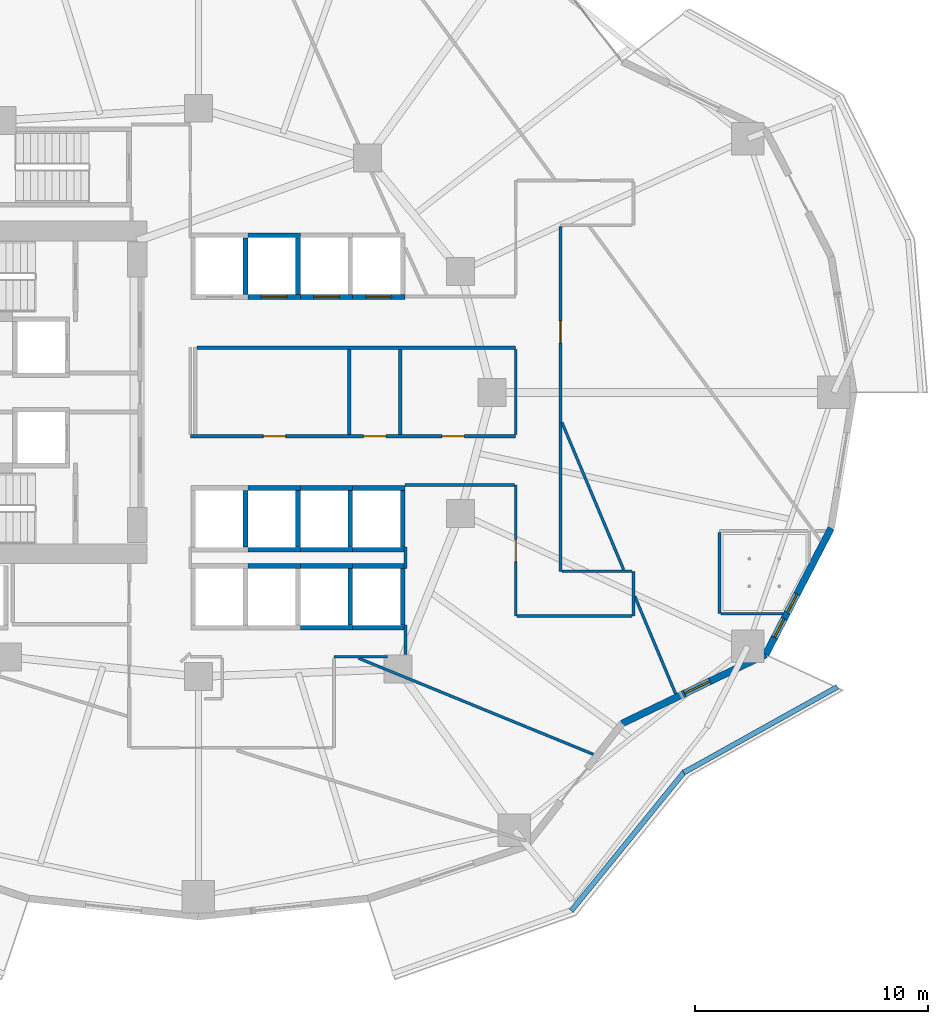
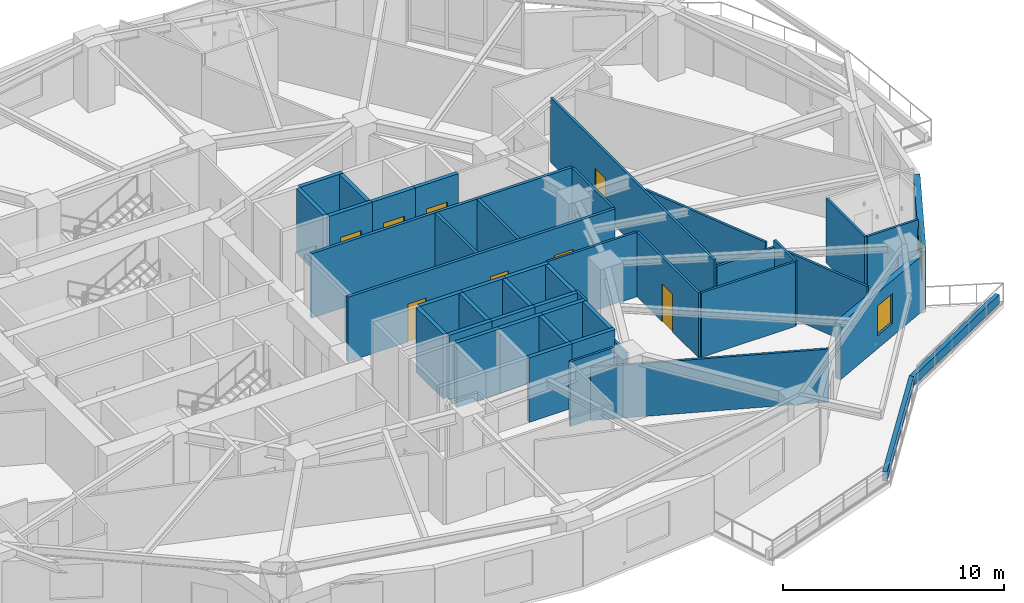
# One storey, part 7 of 18: 46 walls, 8 doors, 3 windows, 11 openings.
"""IFC4 building model written with IfcOpenShell, lengths in metres."""

from ifc_helpers import new_model, si_unit, direction, frame, frame_2d, origin, place, context, subcontext, project, spatial, rectangle, extrude, material, layer, layer_set, type_object, element, fill, save


model = new_model("IFC4")

# Units and contexts
model_context = context("Model", 3, precision=1e-05, world=origin(), true_north=direction((0.0, 1.0)))
body_context = subcontext(model_context, "Body", "Model", "MODEL_VIEW")
ifc_project = project(units=[si_unit("LENGTHUNIT", "METRE"), si_unit("AREAUNIT", "SQUARE_METRE"), si_unit("VOLUMEUNIT", "CUBIC_METRE"), si_unit("PLANEANGLEUNIT", "RADIAN"), si_unit("MASSUNIT", "GRAM", prefix="KILO")], contexts=[model_context])

# Site, building, storey
site_placement = place(None, origin())
site = spatial("IfcSite", under=ifc_project, at=site_placement, CompositionType="ELEMENT")
building_placement = place(site_placement, origin())
building = spatial("IfcBuilding", under=site, at=building_placement, Name="Kolvaren Gate Tower and Convention Centre", CompositionType="ELEMENT")
storey_placement = place(building_placement, frame((0.0, 0.0, 30.35009765625)))
storey = spatial("IfcBuildingStorey", under=building, at=storey_placement, Name="L06", CompositionType="ELEMENT", Elevation=30.35009765625)

# Wall
ifc_material_1 = material(Name="Fire-Rated Acoustic Gypsum Stud Partition", Category="gypsum")
ifc_layer_1 = layer(ifc_material_1, 0.1201171875)
ifc_layer_set_1 = layer_set([ifc_layer_1], Name="Fire-Rated Acoustic Gypsum Stud Partition")
wall_type_1 = type_object("IfcWallType", Name="ARCH-WL-PART-120", PredefinedType="PARTITIONING", material=ifc_layer_set_1)
wall_1_placement = place(storey_placement, frame((35.949951171875, 15.64990234375, 0.0), z_axis=(0.0, 0.0, 1.0), x_axis=(1.0, 0.0, 0.0)))
element("IfcWall", 1, at=wall_1_placement, inside=storey, type_object=wall_type_1, Name="Interior Partition WL-L06-INT-018", PredefinedType="PARTITIONING", context=body_context, shape_type="SweptSolid", body=[
    extrude(rectangle(XDim=2.291015625, YDim=0.1201171875, at=frame_2d((1.1455078125, 0.0))), origin(), (0.0, 0.0, 1.0), 3.56982421875),
])

# Wall, opening, door
wall_2_placement = place(storey_placement, frame((43.75, 17.39990234375, 0.0), z_axis=(0.0, 0.0, 1.0), x_axis=(0.0, 1.0, 0.0)))
wall_2 = element("IfcWall", 2, at=wall_2_placement, inside=storey, type_object=wall_type_1, Name="Interior Partition WL-L06-INT-027", PredefinedType="PARTITIONING", context=body_context, shape_type="SweptSolid", body=[
    extrude(rectangle(XDim=5.6201171875, YDim=0.1201171875, at=frame_2d((2.81005859375, 0.0))), origin(), (0.0, 0.0, 1.0), 3.56982421875),
])
opening_1_placement = place(wall_2_placement, frame((2.3349609375, 0.0, 0.0)))
opening_1 = element("IfcOpeningElement", 3, at=opening_1_placement, cuts=wall_2, Name="Opening DR-01", PredefinedType="OPENING", context=body_context, shape_type="SweptSolid", body=[
    extrude(rectangle(XDim=0.949951171875, YDim=2.10009765625, at=frame_2d((0.47509765625, 1.050048828125))), frame((0.0, 0.070068359375, 0.0), z_axis=(0.0, -1.0, 0.0), x_axis=(1.0, 0.0, 0.0)), (0.0, 0.0, 1.0), 0.14013671875),
])
ifc_material_2 = material(Name="Painted Architectural Steelwork ASTM A500 Grade C 345 MPa", Category="steel")
door_type_1 = type_object("IfcDoorType", Name="ARCH-DR-RISER-950", OperationType="SINGLE_SWING_RIGHT", PredefinedType="DOOR", material=ifc_material_2)
door_1_placement = place(opening_1_placement, origin())
door_1 = element("IfcDoor", 4, at=door_1_placement, inside=storey, type_object=door_type_1, Name="Executive Boardroom Door", OperationType="SINGLE_SWING_RIGHT", OverallHeight=2.10009765625, OverallWidth=0.949951171875, PredefinedType="DOOR", context=body_context, shape_type="SweptSolid", body=[
    extrude(rectangle(XDim=0.949951171875, YDim=2.10009765625, at=frame_2d((0.47509765625, 1.050048828125))), frame((0.0, 0.02490234375, 0.0), z_axis=(0.0, -1.0, 0.0), x_axis=(1.0, 0.0, 0.0)), (0.0, 0.0, 1.0), 0.050048828125),
])
fill(opening_1, door_1)

# Walls
wall_3_placement = place(storey_placement, frame((43.75, 25.197021484375, 0.0), z_axis=(0.0, 0.0, 1.0), x_axis=(0.0, 1.0, 0.0)))
element("IfcWall", 5, at=wall_3_placement, inside=storey, type_object=wall_type_1, Name="Interior Partition WL-L06-INT-028", PredefinedType="PARTITIONING", context=body_context, shape_type="SweptSolid", body=[
    extrude(rectangle(XDim=3.64599609375, YDim=0.1201171875, at=frame_2d((1.822998046875, 0.0))), origin(), (0.0, 0.0, 1.0), 3.56982421875),
])
wall_4_placement = place(storey_placement, frame((48.800048828125, 17.39990234375, 0.0), z_axis=(0.0, 0.0, 1.0), x_axis=(0.0, 1.0, 0.0)))
element("IfcWall", 6, at=wall_4_placement, inside=storey, type_object=wall_type_1, Name="Interior Partition WL-L06-INT-031", PredefinedType="PARTITIONING", context=body_context, shape_type="SweptSolid", body=[
    extrude(rectangle(XDim=1.920166015625, YDim=0.1201171875, at=frame_2d((0.9599609375, 0.0))), origin(), (0.0, 0.0, 1.0), 3.56982421875),
])

# Wall, opening, door
wall_5_placement = place(storey_placement, frame((45.669921875, 19.320068359375, 0.0), z_axis=(0.0, 0.0, 1.0), x_axis=(0.0, 1.0, 0.0)))
wall_5 = element("IfcWall", 7, at=wall_5_placement, inside=storey, type_object=wall_type_1, Name="Interior Partition WL-L06-INT-034", PredefinedType="PARTITIONING", context=body_context, shape_type="SweptSolid", body=[
    extrude(rectangle(XDim=14.7978515625, YDim=0.1201171875, at=frame_2d((7.39892578125, 0.0))), origin(), (0.0, 0.0, 1.0), 3.56982421875),
])
opening_2_placement = place(wall_5_placement, frame((9.798095703125, 0.0, 0.0)))
opening_2 = element("IfcOpeningElement", 8, at=opening_2_placement, cuts=wall_5, Name="Opening DR-01", PredefinedType="OPENING", context=body_context, shape_type="SweptSolid", body=[
    extrude(rectangle(XDim=0.949951171875, YDim=2.10009765625, at=frame_2d((0.47509765625, 1.050048828125))), frame((0.0, 0.070068359375, 0.0), z_axis=(0.0, -1.0, 0.0), x_axis=(1.0, 0.0, 0.0)), (0.0, 0.0, 1.0), 0.14013671875),
])
door_2_placement = place(opening_2_placement, origin())
door_2 = element("IfcDoor", 9, at=door_2_placement, inside=storey, type_object=door_type_1, Name="Corporate Open-Plan Office Door", OperationType="SINGLE_SWING_LEFT", OverallHeight=2.10009765625, OverallWidth=0.949951171875, PredefinedType="DOOR", context=body_context, shape_type="SweptSolid", body=[
    extrude(rectangle(XDim=0.949951171875, YDim=2.10009765625, at=frame_2d((0.47509765625, 1.050048828125))), frame((0.0, 0.02490234375, 0.0), z_axis=(0.0, -1.0, 0.0), x_axis=(1.0, 0.0, 0.0)), (0.0, 0.0, 1.0), 0.050048828125),
])
fill(opening_2, door_2)

# Walls
wall_6_placement = place(storey_placement, frame((45.73193359375, 19.320068359375, 0.0), z_axis=(0.0, 0.0, 1.0), x_axis=(1.0, 0.0, 0.0)))
element("IfcWall", 10, at=wall_6_placement, inside=storey, type_object=wall_type_1, Name="Interior Partition WL-L06-INT-035", PredefinedType="PARTITIONING", context=body_context, shape_type="SweptSolid", body=[
    extrude(rectangle(XDim=3.006103515625, YDim=0.1201171875, at=frame_2d((1.5029296875, 0.0))), origin(), (0.0, 0.0, 1.0), 3.204833984375),
])
wall_7_placement = place(storey_placement, frame((43.81201171875, 17.39990234375, 0.0), z_axis=(0.0, 0.0, 1.0), x_axis=(1.0, 0.0, 0.0)))
element("IfcWall", 11, at=wall_7_placement, inside=storey, type_object=wall_type_1, Name="Interior Partition WL-L06-INT-036", PredefinedType="PARTITIONING", context=body_context, shape_type="SweptSolid", body=[
    extrude(rectangle(XDim=4.926025390625, YDim=0.1201171875, at=frame_2d((2.462890625, 0.0))), origin(), (0.0, 0.0, 1.0), 3.56982421875),
])
wall_8_placement = place(storey_placement, frame((39.0, 23.02001953125, 0.0), z_axis=(0.0, 0.0, 1.0), x_axis=(1.0, 0.0, 0.0)))
element("IfcWall", 12, at=wall_8_placement, inside=storey, type_object=wall_type_1, Name="Interior Partition WL-L06-INT-037", PredefinedType="PARTITIONING", context=body_context, shape_type="SweptSolid", body=[
    extrude(rectangle(XDim=4.68798828125, YDim=0.1201171875, at=frame_2d((2.343994140625, 0.0))), origin(), (0.0, 0.0, 1.0), 3.56982421875),
])
wall_9_placement = place(storey_placement, frame((39.02001953125, 15.741943359375, 0.0), z_axis=(0.0, 0.0, 1.0), x_axis=(0.0, 1.0, 0.0)))
element("IfcWall", 13, at=wall_9_placement, inside=storey, type_object=wall_type_1, Name="Interior Partition WL-L06-INT-038", PredefinedType="PARTITIONING", context=body_context, shape_type="SweptSolid", body=[
    extrude(rectangle(XDim=1.26806640625, YDim=0.1201171875, at=frame_2d((0.634033203125, 0.0))), origin(), (0.0, 0.0, 1.0), 2.933837890625),
])
wall_10_placement = place(storey_placement, frame((39.02001953125, 19.43994140625, 0.0), z_axis=(0.0, 0.0, 1.0), x_axis=(0.0, 1.0, 0.0)))
element("IfcWall", 14, at=wall_10_placement, inside=storey, type_object=wall_type_1, Name="Interior Partition WL-L06-INT-038 (2)", PredefinedType="PARTITIONING", context=body_context, shape_type="SweptSolid", body=[
    extrude(rectangle(XDim=0.920166015625, YDim=0.1201171875, at=frame_2d((0.4599609375, 0.0))), origin(), (0.0, 0.0, 1.0), 3.56982421875),
])
wall_11_placement = place(storey_placement, frame((37.006103515625, 15.587890625, 0.0), z_axis=(0.0, 0.0, 1.0), x_axis=(0.925475521817, -0.378807416134, 0.0)))
element("IfcWall", 15, at=wall_11_placement, inside=storey, type_object=wall_type_1, Name="Interior Partition WL-L06-INT-043", PredefinedType="PARTITIONING", context=body_context, shape_type="SweptSolid", body=[
    extrude(rectangle(XDim=10.890625, YDim=0.1201171875, at=frame_2d((5.4453125, 0.0))), origin(), (0.0, 0.0, 1.0), 2.933837890625),
])
wall_12_placement = place(storey_placement, frame((45.73193359375, 25.715576171875, 0.0), z_axis=(0.0, 0.0, 1.0), x_axis=(0.386366732024, -0.922345243597, 0.0)))
element("IfcWall", 16, at=wall_12_placement, inside=storey, type_object=wall_type_1, Name="Interior Partition WL-L06-INT-050", PredefinedType="PARTITIONING", context=body_context, shape_type="SweptSolid", body=[
    extrude(rectangle(XDim=6.86669921875, YDim=0.1201171875, at=frame_2d((3.433349609375, 0.0))), origin(), (0.0, 0.0, 1.0), 3.56982421875),
])
wall_13_placement = place(storey_placement, frame((48.862060546875, 18.243408203125, 0.0), z_axis=(0.0, 0.0, 1.0), x_axis=(0.386350060349, -0.922352227117, 0.0)))
element("IfcWall", 17, at=wall_13_placement, inside=storey, type_object=wall_type_1, Name="Interior Partition WL-L06-INT-051", PredefinedType="PARTITIONING", context=body_context, shape_type="SweptSolid", body=[
    extrude(rectangle(XDim=4.53515625, YDim=0.1201171875, at=frame_2d((2.267578125, 0.0))), origin(), (0.0, 0.0, 1.0), 3.56982421875),
])
wall_14_placement = place(storey_placement, frame((52.5, 17.5, 0.0), z_axis=(0.0, 0.0, 1.0), x_axis=(0.0, 1.0, 0.0)))
element("IfcWall", 18, at=wall_14_placement, inside=storey, type_object=wall_type_1, Name="Interior Partition WL-L06-INT-056", PredefinedType="PARTITIONING", context=body_context, shape_type="SweptSolid", body=[
    extrude(rectangle(XDim=3.488037109375, YDim=0.1201171875, at=frame_2d((1.744140625, 0.0))), origin(), (0.0, 0.0, 1.0), 3.56982421875),
])
wall_15_placement = place(storey_placement, frame((52.56201171875, 17.5, 0.0), z_axis=(0.0, 0.0, 1.0), x_axis=(1.0, 0.0, 0.0)))
element("IfcWall", 19, at=wall_15_placement, inside=storey, type_object=wall_type_1, Name="Interior Partition WL-L06-INT-057", PredefinedType="PARTITIONING", context=body_context, shape_type="SweptSolid", body=[
    extrude(rectangle(XDim=2.65478515625, YDim=0.1201171875, at=frame_2d((1.327392578125, 0.0))), origin(), (0.0, 0.0, 1.0), 3.56982421875),
])
ifc_material_3 = material(Name="Piedmont Cream Honed Limestone Cladding", Category="masonry")
ifc_layer_2 = layer(ifc_material_3, 0.219970703125)
ifc_layer_set_2 = layer_set([ifc_layer_2], Name="Piedmont Cream Honed Limestone Cladding")
wall_type_2 = type_object("IfcWallType", Name="ARCH-WL-PLANTER-220", PredefinedType="PARAPET", material=ifc_layer_set_2)
wall_16_placement = place(storey_placement, frame((46.1357421875, 4.748779296875, 0.0), z_axis=(0.0, 0.0, 1.0), x_axis=(0.630997450658, 0.775784903993, 0.0)))
element("IfcWall", 20, at=wall_16_placement, inside=storey, type_object=wall_type_2, Name="Vertical-Forest Balcony Stone Planter Kerb PK-L06-4.2", PredefinedType="PARAPET", context=body_context, shape_type="SweptSolid", body=[
    extrude(rectangle(XDim=7.7177734375, YDim=0.219970703125, at=frame_2d((3.85888671875, 0.0))), origin(), (0.0, 0.0, 1.0), 0.52001953125),
])
wall_17_placement = place(storey_placement, frame((50.959228515625, 10.677978515625, 0.0), z_axis=(0.0, 0.0, 1.0), x_axis=(0.873500119739, 0.48682393205, 0.0)))
element("IfcWall", 21, at=wall_17_placement, inside=storey, type_object=wall_type_2, Name="Vertical-Forest Balcony Stone Planter Kerb PK-L06-4.3", PredefinedType="PARAPET", context=body_context, shape_type="SweptSolid", body=[
    extrude(rectangle(XDim=7.56201171875, YDim=0.219970703125, at=frame_2d((3.781005859375, 0.0))), origin(), (0.0, 0.0, 1.0), 0.52001953125),
])
ifc_material_4 = material(Name="Autoclaved Aerated Masonry Blockwork Class 4 (4.0 MPa)", Category="masonry")
ifc_layer_3 = layer(ifc_material_4, 0.199951171875)
ifc_layer_set_3 = layer_set([ifc_layer_3], Name="Autoclaved Aerated Masonry Blockwork Class 4 (4.0 MPa)")
wall_type_3 = type_object("IfcWallType", Name="ARCH-WL-SHAFT-200", PredefinedType="SOLIDWALL", material=ifc_layer_set_3)
wall_18_placement = place(storey_placement, frame((32.14990234375, 31.2099609375, 0.0), z_axis=(0.0, 0.0, 1.0), x_axis=(0.0, 1.0, 0.0)))
element("IfcWall", 22, at=wall_18_placement, inside=storey, type_object=wall_type_3, Name="Elevator PL-01 L06 Fire Shaft Wall E", PredefinedType="SOLIDWALL", context=body_context, shape_type="SweptSolid", body=[
    extrude(rectangle(XDim=2.429931640625, YDim=0.199951171875, at=frame_2d((1.21484375, 0.0))), origin(), (0.0, 0.0, 1.0), 3.56982421875),
])
wall_19_placement = place(storey_placement, frame((32.25, 33.75, 0.0), z_axis=(0.0, 0.0, 1.0), x_axis=(1.0, 0.0, 0.0)))
element("IfcWall", 23, at=wall_19_placement, inside=storey, type_object=wall_type_3, Name="Elevator PL-02 L06 Fire Shaft Wall N", PredefinedType="SOLIDWALL", context=body_context, shape_type="SweptSolid", body=[
    extrude(rectangle(XDim=2.25, YDim=0.199951171875, at=frame_2d((1.125, 0.0))), origin(), (0.0, 0.0, 1.0), 3.56982421875),
])

# Wall, opening, door
wall_20_placement = place(storey_placement, frame((32.25, 31.10009765625, 0.0), z_axis=(0.0, 0.0, 1.0), x_axis=(1.0, 0.0, 0.0)))
wall_20 = element("IfcWall", 24, at=wall_20_placement, inside=storey, type_object=wall_type_3, Name="Elevator PL-02 L06 Fire Shaft Wall S", PredefinedType="SOLIDWALL", context=body_context, shape_type="SweptSolid", body=[
    extrude(rectangle(XDim=2.25, YDim=0.199951171875, at=frame_2d((1.125, 0.0))), origin(), (0.0, 0.0, 1.0), 3.56982421875),
])
opening_3_placement = place(wall_20_placement, frame((0.574951171875, 0.0, 0.0)))
opening_3 = element("IfcOpeningElement", 25, at=opening_3_placement, cuts=wall_20, Name="Opening LD", PredefinedType="OPENING", context=body_context, shape_type="SweptSolid", body=[
    extrude(rectangle(XDim=1.10009765625, YDim=2.199951171875, at=frame_2d((0.550048828125, 1.10009765625))), frame((0.0, 0.10986328125, 0.0), z_axis=(0.0, -1.0, 0.0), x_axis=(1.0, 0.0, 0.0)), (0.0, 0.0, 1.0), 0.219970703125),
])
ifc_material_5 = material(Name="Brushed Stainless Steel Grade 316L", Category="steel")
door_type_2 = type_object("IfcDoorType", Name="ARCH-DR-LIFT-1100", OperationType="SLIDING_TO_LEFT", PredefinedType="DOOR", material=ifc_material_5)
door_3_placement = place(opening_3_placement, origin())
door_3 = element("IfcDoor", 26, at=door_3_placement, inside=storey, type_object=door_type_2, Name="Elevator PL-02 L06 Sliding Landing Door", OperationType="SLIDING_TO_LEFT", OverallHeight=2.199951171875, OverallWidth=1.10009765625, PredefinedType="DOOR", context=body_context, shape_type="SweptSolid", body=[
    extrude(rectangle(XDim=1.10009765625, YDim=2.199951171875, at=frame_2d((0.550048828125, 1.10009765625))), frame((0.0, 0.02490234375, 0.0), z_axis=(0.0, -1.0, 0.0), x_axis=(1.0, 0.0, 0.0)), (0.0, 0.0, 1.0), 0.050048828125),
])
fill(opening_3, door_3)

# Wall
wall_21_placement = place(storey_placement, frame((34.39990234375, 31.2099609375, 0.0), z_axis=(0.0, 0.0, 1.0), x_axis=(0.0, 1.0, 0.0)))
element("IfcWall", 27, at=wall_21_placement, inside=storey, type_object=wall_type_3, Name="Elevator PL-02 L06 Fire Shaft Wall E", PredefinedType="SOLIDWALL", context=body_context, shape_type="SweptSolid", body=[
    extrude(rectangle(XDim=2.429931640625, YDim=0.199951171875, at=frame_2d((1.21484375, 0.0))), origin(), (0.0, 0.0, 1.0), 3.56982421875),
])

# Wall, opening, door
wall_22_placement = place(storey_placement, frame((34.5, 31.10009765625, 0.0), z_axis=(0.0, 0.0, 1.0), x_axis=(1.0, 0.0, 0.0)))
wall_22 = element("IfcWall", 28, at=wall_22_placement, inside=storey, type_object=wall_type_3, Name="Elevator PL-03 L06 Fire Shaft Wall S", PredefinedType="SOLIDWALL", context=body_context, shape_type="SweptSolid", body=[
    extrude(rectangle(XDim=2.25, YDim=0.199951171875, at=frame_2d((1.125, 0.0))), origin(), (0.0, 0.0, 1.0), 3.56982421875),
])
opening_4_placement = place(wall_22_placement, frame((0.574951171875, 0.0, 0.0)))
opening_4 = element("IfcOpeningElement", 29, at=opening_4_placement, cuts=wall_22, Name="Opening LD", PredefinedType="OPENING", context=body_context, shape_type="SweptSolid", body=[
    extrude(rectangle(XDim=1.10009765625, YDim=2.199951171875, at=frame_2d((0.550048828125, 1.10009765625))), frame((0.0, 0.10986328125, 0.0), z_axis=(0.0, -1.0, 0.0), x_axis=(1.0, 0.0, 0.0)), (0.0, 0.0, 1.0), 0.219970703125),
])
door_4_placement = place(opening_4_placement, origin())
door_4 = element("IfcDoor", 30, at=door_4_placement, inside=storey, type_object=door_type_2, Name="Elevator PL-03 L06 Sliding Landing Door", OperationType="SLIDING_TO_LEFT", OverallHeight=2.199951171875, OverallWidth=1.10009765625, PredefinedType="DOOR", context=body_context, shape_type="SweptSolid", body=[
    extrude(rectangle(XDim=1.10009765625, YDim=2.199951171875, at=frame_2d((0.550048828125, 1.10009765625))), frame((0.0, 0.02490234375, 0.0), z_axis=(0.0, -1.0, 0.0), x_axis=(1.0, 0.0, 0.0)), (0.0, 0.0, 1.0), 0.050048828125),
])
fill(opening_4, door_4)

wall_23_placement = place(storey_placement, frame((36.75, 31.10009765625, 0.0), z_axis=(0.0, 0.0, 1.0), x_axis=(1.0, 0.0, 0.0)))
wall_23 = element("IfcWall", 31, at=wall_23_placement, inside=storey, type_object=wall_type_3, Name="Elevator PL-04 L06 Fire Shaft Wall S", PredefinedType="SOLIDWALL", context=body_context, shape_type="SweptSolid", body=[
    extrude(rectangle(XDim=2.25, YDim=0.199951171875, at=frame_2d((1.125, 0.0))), origin(), (0.0, 0.0, 1.0), 3.56982421875),
])
opening_5_placement = place(wall_23_placement, frame((0.574951171875, 0.0, 0.0)))
opening_5 = element("IfcOpeningElement", 32, at=opening_5_placement, cuts=wall_23, Name="Opening LD", PredefinedType="OPENING", context=body_context, shape_type="SweptSolid", body=[
    extrude(rectangle(XDim=1.10009765625, YDim=2.199951171875, at=frame_2d((0.550048828125, 1.10009765625))), frame((0.0, 0.10986328125, 0.0), z_axis=(0.0, -1.0, 0.0), x_axis=(1.0, 0.0, 0.0)), (0.0, 0.0, 1.0), 0.219970703125),
])
door_5_placement = place(opening_5_placement, origin())
door_5 = element("IfcDoor", 33, at=door_5_placement, inside=storey, type_object=door_type_2, Name="Elevator PL-04 L06 Sliding Landing Door", OperationType="SLIDING_TO_LEFT", OverallHeight=2.199951171875, OverallWidth=1.10009765625, PredefinedType="DOOR", context=body_context, shape_type="SweptSolid", body=[
    extrude(rectangle(XDim=1.10009765625, YDim=2.199951171875, at=frame_2d((0.550048828125, 1.10009765625))), frame((0.0, 0.02490234375, 0.0), z_axis=(0.0, -1.0, 0.0), x_axis=(1.0, 0.0, 0.0)), (0.0, 0.0, 1.0), 0.050048828125),
])
fill(opening_5, door_5)

# Walls
for number, where, z_axis, x_axis, name in (
    (34, (32.25, 19.550048828125, 0.0), (0.0, 0.0, 1.0), (1.0, 0.0, 0.0), "Elevator PL-06 L06 Fire Shaft Wall N"),
    (35, (34.5, 19.550048828125, 0.0), (0.0, 0.0, 1.0), (1.0, 0.0, 0.0), "Elevator PL-07 L06 Fire Shaft Wall N"),
    (36, (34.5, 16.89990234375, 0.0), (0.0, 0.0, 1.0), (1.0, 0.0, 0.0), "Elevator PL-07 L06 Fire Shaft Wall S"),
):
    element("IfcWall", number, at=place(storey_placement, frame(where, z_axis=z_axis, x_axis=x_axis)), inside=storey, type_object=wall_type_3, Name=name, PredefinedType="SOLIDWALL", context=body_context, shape_type="SweptSolid", body=[
        extrude(rectangle(XDim=2.25, YDim=0.199951171875, at=frame_2d((1.125, 0.0))), origin(), (0.0, 0.0, 1.0), 3.56982421875),
    ])
wall_24_placement = place(storey_placement, frame((36.64990234375, 17.010009765625, 0.0), z_axis=(0.0, 0.0, 1.0), x_axis=(0.0, 1.0, 0.0)))
element("IfcWall", 37, at=wall_24_placement, inside=storey, type_object=wall_type_3, Name="Elevator PL-07 L06 Fire Shaft Wall E", PredefinedType="SOLIDWALL", context=body_context, shape_type="SweptSolid", body=[
    extrude(rectangle(XDim=2.429931640625, YDim=0.199951171875, at=frame_2d((1.21484375, 0.0))), origin(), (0.0, 0.0, 1.0), 3.56982421875),
])
for number, where, z_axis, x_axis, name in (
    (38, (36.75, 19.550048828125, 0.0), (0.0, 0.0, 1.0), (1.0, 0.0, 0.0), "Elevator PL-08 L06 Fire Shaft Wall N"),
    (39, (36.75, 16.89990234375, 0.0), (0.0, 0.0, 1.0), (1.0, 0.0, 0.0), "Elevator PL-08 L06 Fire Shaft Wall S"),
):
    element("IfcWall", number, at=place(storey_placement, frame(where, z_axis=z_axis, x_axis=x_axis)), inside=storey, type_object=wall_type_3, Name=name, PredefinedType="SOLIDWALL", context=body_context, shape_type="SweptSolid", body=[
        extrude(rectangle(XDim=2.25, YDim=0.199951171875, at=frame_2d((1.125, 0.0))), origin(), (0.0, 0.0, 1.0), 3.56982421875),
    ])
for number, where, z_axis, x_axis, name in (
    (40, (38.89990234375, 17.010009765625, 0.0), (0.0, 0.0, 1.0), (0.0, 1.0, 0.0), "Elevator PL-08 L06 Fire Shaft Wall E"),
    (41, (32.14990234375, 20.360107421875, 0.0), (0.0, 0.0, 1.0), (0.0, 1.0, 0.0), "Elevator PL-09 L06 Fire Shaft Wall E"),
):
    element("IfcWall", number, at=place(storey_placement, frame(where, z_axis=z_axis, x_axis=x_axis)), inside=storey, type_object=wall_type_3, Name=name, PredefinedType="SOLIDWALL", context=body_context, shape_type="SweptSolid", body=[
        extrude(rectangle(XDim=2.429931640625, YDim=0.199951171875, at=frame_2d((1.21484375, 0.0))), origin(), (0.0, 0.0, 1.0), 3.56982421875),
    ])
for number, where, z_axis, x_axis, name in (
    (42, (32.25, 22.89990234375, 0.0), (0.0, 0.0, 1.0), (1.0, 0.0, 0.0), "Elevator PL-10 L06 Fire Shaft Wall N"),
    (43, (32.25, 20.25, 0.0), (0.0, 0.0, 1.0), (1.0, 0.0, 0.0), "Elevator PL-10 L06 Fire Shaft Wall S"),
):
    element("IfcWall", number, at=place(storey_placement, frame(where, z_axis=z_axis, x_axis=x_axis)), inside=storey, type_object=wall_type_3, Name=name, PredefinedType="SOLIDWALL", context=body_context, shape_type="SweptSolid", body=[
        extrude(rectangle(XDim=2.25, YDim=0.199951171875, at=frame_2d((1.125, 0.0))), origin(), (0.0, 0.0, 1.0), 3.56982421875),
    ])
wall_25_placement = place(storey_placement, frame((34.39990234375, 20.360107421875, 0.0), z_axis=(0.0, 0.0, 1.0), x_axis=(0.0, 1.0, 0.0)))
element("IfcWall", 44, at=wall_25_placement, inside=storey, type_object=wall_type_3, Name="Elevator PL-10 L06 Fire Shaft Wall E", PredefinedType="SOLIDWALL", context=body_context, shape_type="SweptSolid", body=[
    extrude(rectangle(XDim=2.429931640625, YDim=0.199951171875, at=frame_2d((1.21484375, 0.0))), origin(), (0.0, 0.0, 1.0), 3.56982421875),
])
for number, where, z_axis, x_axis, name in (
    (45, (34.5, 22.89990234375, 0.0), (0.0, 0.0, 1.0), (1.0, 0.0, 0.0), "Elevator PL-11 L06 Fire Shaft Wall N"),
    (46, (34.5, 20.25, 0.0), (0.0, 0.0, 1.0), (1.0, 0.0, 0.0), "Elevator PL-11 L06 Fire Shaft Wall S"),
):
    element("IfcWall", number, at=place(storey_placement, frame(where, z_axis=z_axis, x_axis=x_axis)), inside=storey, type_object=wall_type_3, Name=name, PredefinedType="SOLIDWALL", context=body_context, shape_type="SweptSolid", body=[
        extrude(rectangle(XDim=2.25, YDim=0.199951171875, at=frame_2d((1.125, 0.0))), origin(), (0.0, 0.0, 1.0), 3.56982421875),
    ])
wall_26_placement = place(storey_placement, frame((36.64990234375, 20.360107421875, 0.0), z_axis=(0.0, 0.0, 1.0), x_axis=(0.0, 1.0, 0.0)))
element("IfcWall", 47, at=wall_26_placement, inside=storey, type_object=wall_type_3, Name="Elevator PL-11 L06 Fire Shaft Wall E", PredefinedType="SOLIDWALL", context=body_context, shape_type="SweptSolid", body=[
    extrude(rectangle(XDim=2.429931640625, YDim=0.199951171875, at=frame_2d((1.21484375, 0.0))), origin(), (0.0, 0.0, 1.0), 3.56982421875),
])
for number, where, z_axis, x_axis, name in (
    (48, (36.75, 22.89990234375, 0.0), (0.0, 0.0, 1.0), (1.0, 0.0, 0.0), "Elevator PL-12 L06 Fire Shaft Wall N"),
    (49, (36.75, 20.25, 0.0), (0.0, 0.0, 1.0), (1.0, 0.0, 0.0), "Elevator PL-12 L06 Fire Shaft Wall S"),
):
    element("IfcWall", number, at=place(storey_placement, frame(where, z_axis=z_axis, x_axis=x_axis)), inside=storey, type_object=wall_type_3, Name=name, PredefinedType="SOLIDWALL", context=body_context, shape_type="SweptSolid", body=[
        extrude(rectangle(XDim=2.25, YDim=0.199951171875, at=frame_2d((1.125, 0.0))), origin(), (0.0, 0.0, 1.0), 3.56982421875),
    ])
wall_27_placement = place(storey_placement, frame((38.89990234375, 20.360107421875, 0.0), z_axis=(0.0, 0.0, 1.0), x_axis=(0.0, 1.0, 0.0)))
element("IfcWall", 50, at=wall_27_placement, inside=storey, type_object=wall_type_3, Name="Elevator PL-12 L06 Fire Shaft Wall E", PredefinedType="SOLIDWALL", context=body_context, shape_type="SweptSolid", body=[
    extrude(rectangle(XDim=2.429931640625, YDim=0.199951171875, at=frame_2d((1.21484375, 0.0))), origin(), (0.0, 0.0, 1.0), 3.56982421875),
])

# Wall, opening, window
ifc_layer_4 = layer(ifc_material_3, 0.300048828125)
ifc_layer_set_4 = layer_set([ifc_layer_4], Name="Piedmont Cream Honed Limestone Cladding")
wall_type_4 = type_object("IfcWallType", Name="ARCH-WL-STONE-300", PredefinedType="SOLIDWALL", material=ifc_layer_set_4)
wall_28_placement = place(storey_placement, frame((48.315185546875, 12.787109375, 0.0), z_axis=(0.0, 0.0, 1.0), x_axis=(0.901360393999, 0.433069786673, 0.0)))
wall_28 = element("IfcWall", 51, at=wall_28_placement, inside=storey, type_object=wall_type_4, Name="Tower L06 Honed Stone Spandrel Wall EW-21", PredefinedType="SOLIDWALL", context=body_context, shape_type="SweptSolid", body=[
    extrude(rectangle(XDim=6.841552734375, YDim=0.300048828125, at=frame_2d((3.4208984375, 0.0))), origin(), (0.0, 0.0, 1.0), 3.093017578125),
])
opening_6_placement = place(wall_28_placement, frame((2.97998046875, 0.0, 0.719970703125)))
opening_6 = element("IfcOpeningElement", 52, at=opening_6_placement, cuts=wall_28, Name="Opening W-04", PredefinedType="OPENING", context=body_context, shape_type="SweptSolid", body=[
    extrude(rectangle(XDim=1.199951171875, YDim=1.64990234375, at=frame_2d((0.60009765625, 0.824951171875))), frame((0.0, 0.159912109375, 0.0), z_axis=(0.0, -1.0, 0.0), x_axis=(1.0, 0.0, 0.0)), (0.0, 0.0, 1.0), 0.320068359375),
])
ifc_material_6 = material(Name="Low-E Triple Insulated Glazing Unit 44 mm", Category="glass")
window_type_1 = type_object("IfcWindowType", Name="ARCH-WN-NARROW-1200", PartitioningType="SINGLE_PANEL", PredefinedType="WINDOW", material=ifc_material_6)
window_1_placement = place(opening_6_placement, origin())
window_1 = element("IfcWindow", 53, at=window_1_placement, inside=storey, type_object=window_type_1, Name="Tower L06 Punched Stone Facade Window W-21", OverallHeight=1.64990234375, OverallWidth=1.199951171875, PartitioningType="SINGLE_PANEL", PredefinedType="WINDOW", context=body_context, shape_type="SweptSolid", body=[
    extrude(rectangle(XDim=1.199951171875, YDim=1.64990234375, at=frame_2d((0.60009765625, 0.824951171875))), frame((0.0, 0.030029296875, 0.0), z_axis=(0.0, -1.0, 0.0), x_axis=(1.0, 0.0, 0.0)), (0.0, 0.0, 1.0), 0.06005859375),
])
fill(opening_6, window_1)

# Wall, openings, windows
wall_29_placement = place(storey_placement, frame((54.48193359375, 15.75, 0.0), z_axis=(0.0, 0.0, 1.0), x_axis=(0.459809804413, 0.88801742312, 0.0)))
wall_29 = element("IfcWall", 54, at=wall_29_placement, inside=storey, type_object=wall_type_4, Name="Tower L06 Honed Stone Spandrel Wall EW-22", PredefinedType="SOLIDWALL", context=body_context, shape_type="SweptSolid", body=[
    extrude(rectangle(XDim=6.11083984375, YDim=0.300048828125, at=frame_2d((3.055419921875, 0.0))), origin(), (0.0, 0.0, 1.0), 3.093017578125),
])
opening_7_placement = place(wall_29_placement, frame((0.829345703125, 0.0, 0.85009765625)))
opening_7 = element("IfcOpeningElement", 55, at=opening_7_placement, cuts=wall_29, Name="Opening W-06", PredefinedType="OPENING", context=body_context, shape_type="SweptSolid", body=[
    extrude(rectangle(XDim=0.89990234375, YDim=1.89990234375, at=frame_2d((0.449951171875, 0.949951171875))), frame((0.0, 0.159912109375, 0.0), z_axis=(0.0, -1.0, 0.0), x_axis=(1.0, 0.0, 0.0)), (0.0, 0.0, 1.0), 0.320068359375),
])
opening_8_placement = place(wall_29_placement, frame((2.02197265625, 0.0, 0.85009765625)))
opening_8 = element("IfcOpeningElement", 56, at=opening_8_placement, cuts=wall_29, Name="Opening W-06", PredefinedType="OPENING", context=body_context, shape_type="SweptSolid", body=[
    extrude(rectangle(XDim=0.89990234375, YDim=1.89990234375, at=frame_2d((0.449951171875, 0.949951171875))), frame((0.0, 0.159912109375, 0.0), z_axis=(0.0, -1.0, 0.0), x_axis=(1.0, 0.0, 0.0)), (0.0, 0.0, 1.0), 0.320068359375),
])
window_type_2 = type_object("IfcWindowType", Name="ARCH-WN-PUNCH-900", PartitioningType="SINGLE_PANEL", PredefinedType="WINDOW", material=ifc_material_6)
window_2_placement = place(opening_7_placement, origin())
window_2 = element("IfcWindow", 57, at=window_2_placement, inside=storey, type_object=window_type_2, Name="Tower L06 Punched Stone Facade Window W-22", OverallHeight=1.89990234375, OverallWidth=0.89990234375, PartitioningType="SINGLE_PANEL", PredefinedType="WINDOW", context=body_context, shape_type="SweptSolid", body=[
    extrude(rectangle(XDim=0.89990234375, YDim=1.89990234375, at=frame_2d((0.449951171875, 0.949951171875))), frame((0.0, 0.030029296875, 0.0), z_axis=(0.0, -1.0, 0.0), x_axis=(1.0, 0.0, 0.0)), (0.0, 0.0, 1.0), 0.06005859375),
])
fill(opening_7, window_2)
window_3_placement = place(opening_8_placement, origin())
window_3 = element("IfcWindow", 58, at=window_3_placement, inside=storey, type_object=window_type_2, Name="Tower L06 Punched Stone Facade Window W-22B", OverallHeight=1.89990234375, OverallWidth=0.89990234375, PartitioningType="SINGLE_PANEL", PredefinedType="WINDOW", context=body_context, shape_type="SweptSolid", body=[
    extrude(rectangle(XDim=0.89990234375, YDim=1.89990234375, at=frame_2d((0.449951171875, 0.949951171875))), frame((0.0, 0.030029296875, 0.0), z_axis=(0.0, -1.0, 0.0), x_axis=(1.0, 0.0, 0.0)), (0.0, 0.0, 1.0), 0.06005859375),
])
fill(opening_8, window_3)

# Wall, openings, doors
ifc_material_7 = material(Name="Moisture-Resistant Cement-Board Acoustic Partition", Category="gypsum")
ifc_layer_5 = layer(ifc_material_7, 0.14990234375)
ifc_layer_set_5 = layer_set([ifc_layer_5], Name="Moisture-Resistant Cement-Board Acoustic Partition")
wall_type_5 = type_object("IfcWallType", Name="ARCH-WL-WET-150", PredefinedType="PARTITIONING", material=ifc_layer_set_5)
wall_30_placement = place(storey_placement, frame((29.780029296875, 25.1201171875, 0.0), z_axis=(0.0, 0.0, 1.0), x_axis=(1.0, 0.0, 0.0)))
wall_30 = element("IfcWall", 59, at=wall_30_placement, inside=storey, type_object=wall_type_5, Name="Interior Partition WL-L06-INT-012", PredefinedType="PARTITIONING", context=body_context, shape_type="SweptSolid", body=[
    extrude(rectangle(XDim=13.969970703125, YDim=0.14990234375, at=frame_2d((6.98486328125, 0.0))), origin(), (0.0, 0.0, 1.0), 3.56982421875),
])
opening_9_placement = place(wall_30_placement, frame((3.139892578125, 0.0, 0.0)))
opening_9 = element("IfcOpeningElement", 60, at=opening_9_placement, cuts=wall_30, Name="Opening DR-01", PredefinedType="OPENING", context=body_context, shape_type="SweptSolid", body=[
    extrude(rectangle(XDim=0.949951171875, YDim=2.10009765625, at=frame_2d((0.47509765625, 1.050048828125))), frame((0.0, 0.0849609375, 0.0), z_axis=(0.0, -1.0, 0.0), x_axis=(1.0, 0.0, 0.0)), (0.0, 0.0, 1.0), 0.169921875),
])
opening_10_placement = place(wall_30_placement, frame((7.445068359375, 0.0, 0.0)))
opening_10 = element("IfcOpeningElement", 61, at=opening_10_placement, cuts=wall_30, Name="Opening DR-01", PredefinedType="OPENING", context=body_context, shape_type="SweptSolid", body=[
    extrude(rectangle(XDim=0.949951171875, YDim=2.10009765625, at=frame_2d((0.47509765625, 1.050048828125))), frame((0.0, 0.0849609375, 0.0), z_axis=(0.0, -1.0, 0.0), x_axis=(1.0, 0.0, 0.0)), (0.0, 0.0, 1.0), 0.169921875),
])
opening_11_placement = place(wall_30_placement, frame((10.81494140625, 0.0, 0.0)))
opening_11 = element("IfcOpeningElement", 62, at=opening_11_placement, cuts=wall_30, Name="Opening DR-01", PredefinedType="OPENING", context=body_context, shape_type="SweptSolid", body=[
    extrude(rectangle(XDim=0.949951171875, YDim=2.10009765625, at=frame_2d((0.47509765625, 1.050048828125))), frame((0.0, 0.0849609375, 0.0), z_axis=(0.0, -1.0, 0.0), x_axis=(1.0, 0.0, 0.0)), (0.0, 0.0, 1.0), 0.169921875),
])
door_6_placement = place(opening_9_placement, origin())
door_6 = element("IfcDoor", 63, at=door_6_placement, inside=storey, type_object=door_type_1, Name="Accessible Universal Washroom Door", OperationType="SINGLE_SWING_LEFT", OverallHeight=2.10009765625, OverallWidth=0.949951171875, PredefinedType="DOOR", context=body_context, shape_type="SweptSolid", body=[
    extrude(rectangle(XDim=0.949951171875, YDim=2.10009765625, at=frame_2d((0.47509765625, 1.050048828125))), frame((0.0, 0.02490234375, 0.0), z_axis=(0.0, -1.0, 0.0), x_axis=(1.0, 0.0, 0.0)), (0.0, 0.0, 1.0), 0.050048828125),
])
fill(opening_9, door_6)
door_7_placement = place(opening_10_placement, origin())
door_7 = element("IfcDoor", 64, at=door_7_placement, inside=storey, type_object=door_type_1, Name="Floor Janitor and Supply Store Door", OperationType="SINGLE_SWING_RIGHT", OverallHeight=2.10009765625, OverallWidth=0.949951171875, PredefinedType="DOOR", context=body_context, shape_type="SweptSolid", body=[
    extrude(rectangle(XDim=0.949951171875, YDim=2.10009765625, at=frame_2d((0.47509765625, 1.050048828125))), frame((0.0, 0.02490234375, 0.0), z_axis=(0.0, -1.0, 0.0), x_axis=(1.0, 0.0, 0.0)), (0.0, 0.0, 1.0), 0.050048828125),
])
fill(opening_10, door_7)
door_8_placement = place(opening_11_placement, origin())
door_8 = element("IfcDoor", 65, at=door_8_placement, inside=storey, type_object=door_type_1, Name="Cellular Office Door", OperationType="SINGLE_SWING_RIGHT", OverallHeight=2.10009765625, OverallWidth=0.949951171875, PredefinedType="DOOR", context=body_context, shape_type="SweptSolid", body=[
    extrude(rectangle(XDim=0.949951171875, YDim=2.10009765625, at=frame_2d((0.47509765625, 1.050048828125))), frame((0.0, 0.02490234375, 0.0), z_axis=(0.0, -1.0, 0.0), x_axis=(1.0, 0.0, 0.0)), (0.0, 0.0, 1.0), 0.050048828125),
])
fill(opening_11, door_8)

# Walls
wall_31_placement = place(storey_placement, frame((30.076904296875, 28.919921875, 0.0), z_axis=(0.0, 0.0, 1.0), x_axis=(1.0, 0.0, 0.0)))
element("IfcWall", 66, at=wall_31_placement, inside=storey, type_object=wall_type_5, Name="Interior Partition WL-L06-INT-014", PredefinedType="PARTITIONING", context=body_context, shape_type="SweptSolid", body=[
    extrude(rectangle(XDim=13.673095703125, YDim=0.14990234375, at=frame_2d((6.83642578125, 0.0))), origin(), (0.0, 0.0, 1.0), 3.56982421875),
])
for number, where, z_axis, x_axis, name in (
    (67, (36.60009765625, 25.197021484375, 0.0), (0.0, 0.0, 1.0), (0.0, 1.0, 0.0), "Interior Partition WL-L06-INT-015"),
    (68, (38.800048828125, 25.197021484375, 0.0), (0.0, 0.0, 1.0), (0.0, 1.0, 0.0), "Interior Partition WL-L06-INT-016"),
):
    element("IfcWall", number, at=place(storey_placement, frame(where, z_axis=z_axis, x_axis=x_axis)), inside=storey, type_object=wall_type_5, Name=name, PredefinedType="PARTITIONING", context=body_context, shape_type="SweptSolid", body=[
        extrude(rectangle(XDim=3.64599609375, YDim=0.14990234375, at=frame_2d((1.822998046875, 0.0))), origin(), (0.0, 0.0, 1.0), 3.56982421875),
    ])

save(model, "model.ifc")
